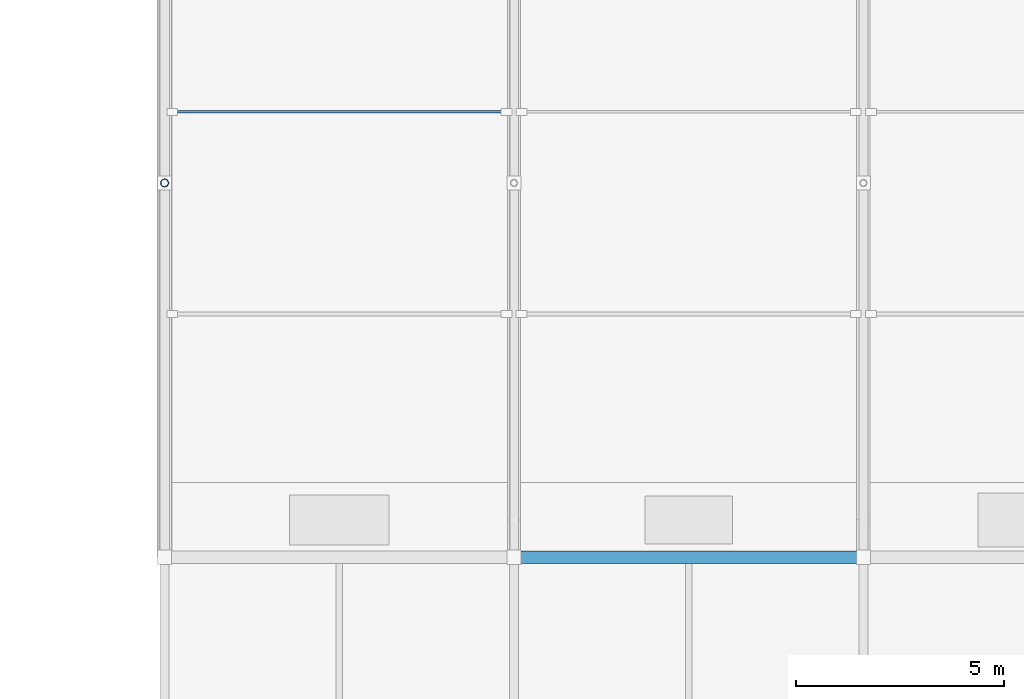
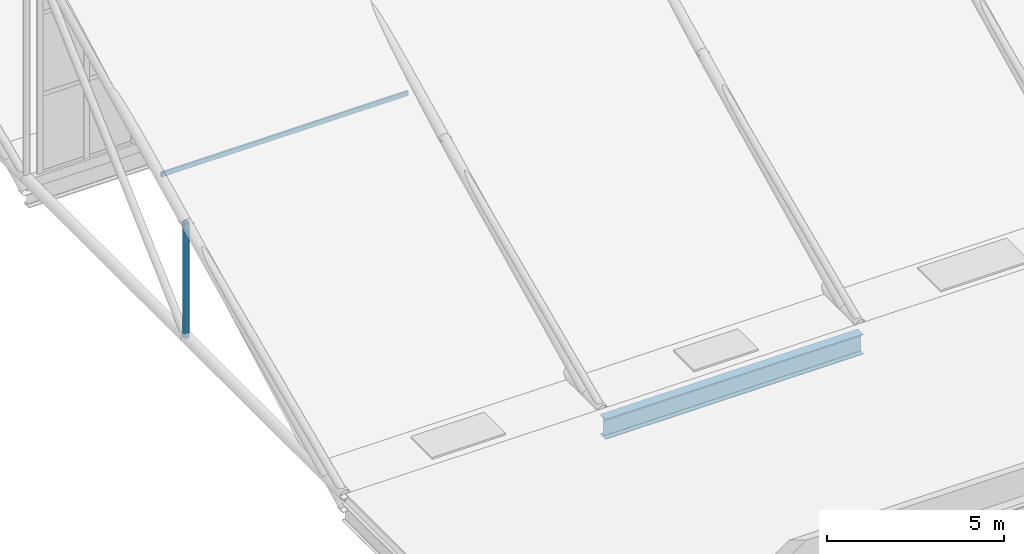
# One storey, part 3 of 38: 2 members, 1 beam.
"""IFC4 building model written with IfcOpenShell, lengths in metres."""

from ifc_helpers import new_model, si_unit, direction, frame, origin, origin_2d, place, context, subcontext, project, spatial, hollow_rectangle, hollow_circle, i_section, extrude, material, material_profile, profile_set, type_object, element, save


model = new_model("IFC4")

# Units and contexts
model_context = context("Model", 3, precision=1e-05, world=origin(), true_north=direction((0.0, 1.0)))
body_context = subcontext(model_context, "Body", "Model", "MODEL_VIEW")
ifc_project = project(units=[si_unit("LENGTHUNIT", "METRE"), si_unit("AREAUNIT", "SQUARE_METRE"), si_unit("VOLUMEUNIT", "CUBIC_METRE"), si_unit("PLANEANGLEUNIT", "RADIAN"), si_unit("MASSUNIT", "GRAM", prefix="KILO")], contexts=[model_context])

# Site, building, storey
site_placement = place(None, origin())
site = spatial("IfcSite", under=ifc_project, at=site_placement, CompositionType="ELEMENT")
building_placement = place(site_placement, origin())
building = spatial("IfcBuilding", under=site, at=building_placement, Name="Veltarok Museum of Natural Sciences", CompositionType="ELEMENT")
storey_placement = place(building_placement, frame((0.0, 0.0, 31.199951171875)))
storey = spatial("IfcBuildingStorey", under=building, at=storey_placement, Name="RF", CompositionType="ELEMENT", Elevation=31.199951171875)

# Beam
ifc_material_1 = material(Name="Steel S355J2", Category="steel")
ifc_material_profile_1 = material_profile(ifc_material_1, i_section(OverallWidth=0.300048828125, OverallDepth=0.699951171875, WebThickness=0.01708984375, FlangeThickness=0.031982421875, FilletRadius=0.027099609375, at=origin_2d()), Name="HEB 700")
ifc_profile_set_1 = profile_set([ifc_material_profile_1], Name="Steel S355J2")
beam_type = type_object("IfcBeamType", Name="Long-Span Hall Girder HEB 700", PredefinedType="BEAM", material=ifc_profile_set_1)
beam_placement = place(storey_placement, frame((48.39990234375, 36.0, -6.389892578125), z_axis=(1.0, 0.0, 0.0), x_axis=(0.0, 1.0, 0.0)))
element("IfcBeam", 1, at=beam_placement, inside=storey, type_object=beam_type, Name="Sawtooth Valley Girder 6-7 Y=36.0", PredefinedType="BEAM", context=body_context, shape_type="SweptSolid", body=[
    extrude(i_section(OverallWidth=0.300048828125, OverallDepth=0.699951171875, WebThickness=0.01708984375, FlangeThickness=0.031982421875, FilletRadius=0.027099609375, at=origin_2d()), origin(), (0.0, 0.0, 1.0), 8.400146484375),
])

# Members
ifc_material_2 = material(Name="Oxide-red painted Steel S355J2", Category="steel")
ifc_material_profile_2 = material_profile(ifc_material_2, hollow_circle(Radius=0.096923828125, WallThickness=0.010009765625, at=origin_2d()), Name="CHS 193.7x10")
ifc_profile_set_2 = profile_set([ifc_material_profile_2], Name="Oxide-red painted Steel S355J2")
member_type_1 = type_object("IfcMemberType", Name="Sawtooth End Strut CHS 193.7x10", PredefinedType="STRUT", material=ifc_profile_set_2)
member_1_placement = place(storey_placement, frame((40.0, 45.0, -5.800048828125), z_axis=(0.0, 0.0, 1.0), x_axis=(1.0, 0.0, 0.0)))
element("IfcMember", 2, at=member_1_placement, inside=storey, type_object=member_type_1, Name="Roof Truss Strut 5 M1", PredefinedType="STRUT", context=body_context, shape_type="SweptSolid", body=[
    extrude(hollow_circle(Radius=0.096923828125, WallThickness=0.010009765625, at=origin_2d()), origin(), (0.0, 0.0, 1.0), 3.9501953125),
])
ifc_material_profile_3 = material_profile(ifc_material_1, hollow_rectangle(XDim=0.06005859375, YDim=0.159912109375, WallThickness=0.0048828125, at=origin_2d()), Name="RHS 160x60x5")
ifc_profile_set_3 = profile_set([ifc_material_profile_3], Name="Steel S355J2")
member_type_2 = type_object("IfcMemberType", Name="Sawtooth Roof Purlin RHS 160x60x5", PredefinedType="PURLIN", material=ifc_profile_set_3)
member_2_placement = place(storey_placement, frame((40.179931640625, 46.7099609375, -1.310302734375), z_axis=(1.0, 0.0, 0.0), x_axis=(0.0, 1.0, 0.0)))
element("IfcMember", 3, at=member_2_placement, inside=storey, type_object=member_type_2, Name="Sawtooth Purlin 5-6 M1", PredefinedType="PURLIN", context=body_context, shape_type="SweptSolid", body=[
    extrude(hollow_rectangle(XDim=0.06005859375, YDim=0.159912109375, WallThickness=0.0048828125, at=origin_2d()), origin(), (0.0, 0.0, 1.0), 8.0400390625),
])

save(model, "model.ifc")
